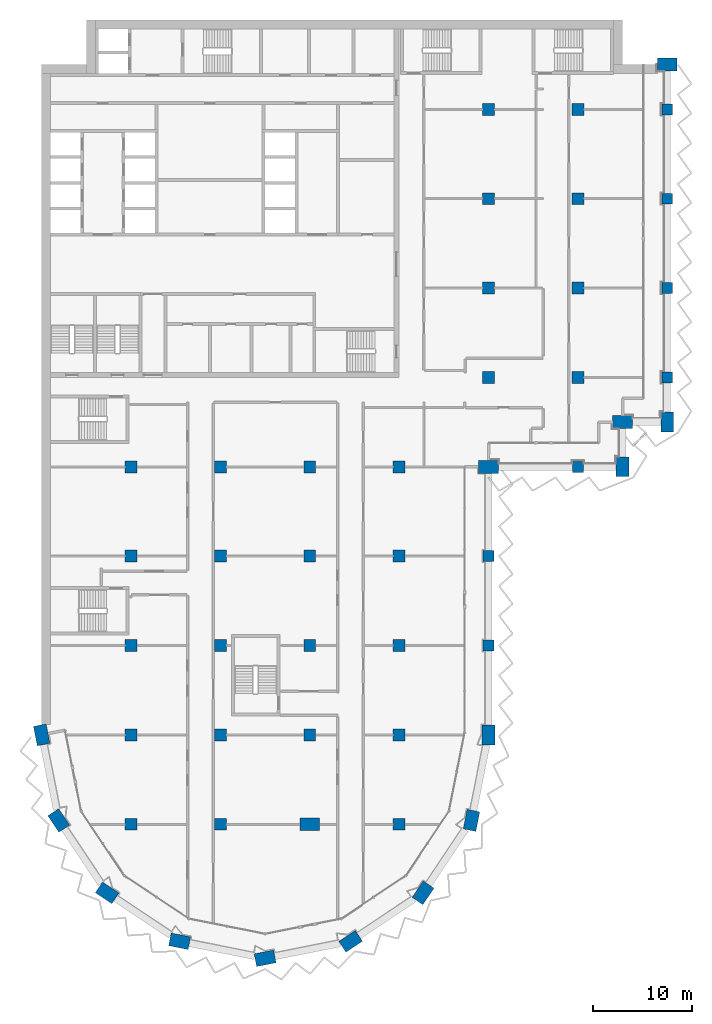
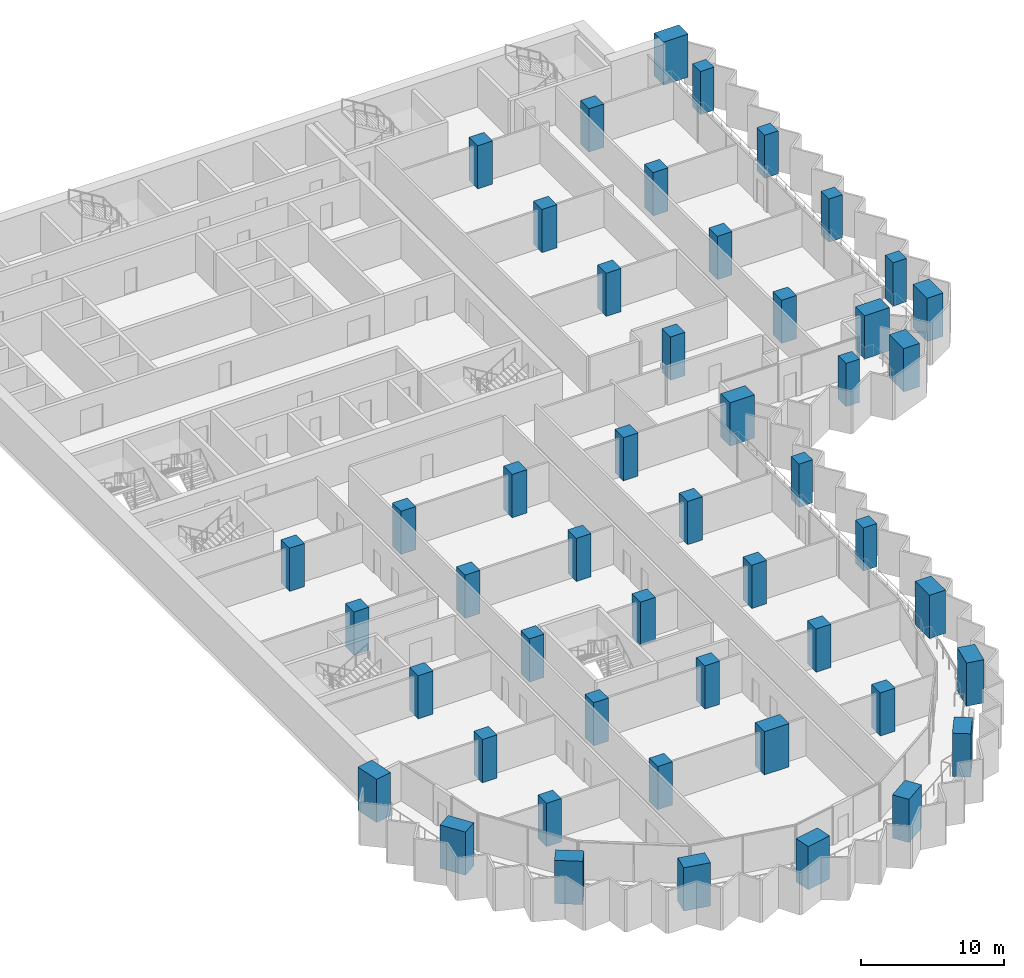
# One storey, part 1 of 22: 49 columns.
"""IFC4 building model written with IfcOpenShell, lengths in metres."""

from ifc_helpers import new_model, si_unit, direction, frame, origin, origin_2d, place, context, subcontext, project, spatial, rectangle, extrude, material, material_profile, profile_set, type_object, element, save


model = new_model("IFC4")

# Units and contexts
model_context = context("Model", 3, precision=1e-05, world=origin(), true_north=direction((0.0, 1.0)))
body_context = subcontext(model_context, "Body", "Model", "MODEL_VIEW")
ifc_project = project(units=[si_unit("LENGTHUNIT", "METRE"), si_unit("AREAUNIT", "SQUARE_METRE"), si_unit("VOLUMEUNIT", "CUBIC_METRE"), si_unit("PLANEANGLEUNIT", "RADIAN"), si_unit("MASSUNIT", "GRAM", prefix="KILO")], contexts=[model_context])

# Site, building, storey
site_placement = place(None, origin())
site = spatial("IfcSite", under=ifc_project, at=site_placement, CompositionType="ELEMENT")
building_placement = place(site_placement, origin())
building = spatial("IfcBuilding", under=site, at=building_placement, Name="Hunhe Ridgeline Campus", CompositionType="ELEMENT")
storey_placement = place(building_placement, frame((0.0, 0.0, 159.699951171875)))
storey = spatial("IfcBuildingStorey", under=building, at=storey_placement, Name="L40", CompositionType="ELEMENT", Elevation=159.699951171875)

# Columns
ifc_material = material(Name="Concrete C70", Category="concrete")
ifc_material_profile_1 = material_profile(ifc_material, rectangle(XDim=2.0, YDim=1.300048828125, at=origin_2d()))
ifc_profile_set_1 = profile_set([ifc_material_profile_1], Name="Concrete C70")
column_type_1 = type_object("IfcColumnType", Name="Megacolumn 2000x1300 Concrete C70", PredefinedType="COLUMN", material=ifc_profile_set_1)
for number, where, z_axis, x_axis, name in (
    (1, (22.5, 4.5, 0.0), (0.0, 0.0, 1.0), (0.980785280403, 0.195090322016, 0.0), "Column C9 R1 L40"),
    (2, (13.8896484375, 6.212646484375, 0.0), (0.0, 0.0, 1.0), (-0.980785280403, 0.195090322016, 0.0), "Column C9 R2 L40"),
    (3, (31.1103515625, 6.212646484375, 0.0), (0.0, 0.0, 1.0), (0.831469612303, 0.55557023302, 0.0), "Column C9 R3 L40"),
    (4, (6.590087890625, 11.090087890625, 0.0), (0.0, 0.0, 1.0), (-0.831469612303, 0.55557023302, 0.0), "Column C9 R4 L40"),
    (5, (38.409912109375, 11.090087890625, 0.0), (0.0, 0.0, 1.0), (0.55557023302, 0.831469612303, 0.0), "Column C9 R5 L40"),
    (6, (1.712646484375, 18.3896484375, 0.0), (0.0, 0.0, 1.0), (-0.55557023302, 0.831469612303, 0.0), "Column C9 R9 L40"),
    (7, (43.287353515625, 18.3896484375, 0.0), (0.0, 0.0, 1.0), (0.195090322016, 0.980785280403, 0.0), "Column C9 R10 L40"),
    (8, (0.0, 27.0, 0.0), (0.0, 0.0, 1.0), (-0.195090322016, 0.980785280403, 0.0), "Column C9 D1 L40"),
    (9, (45.0, 27.0, 0.0), (0.0, 0.0, 1.0), (0.0, 1.0, 0.0), "Column C9 D6 L40"),
    (10, (45.0, 54.0, 0.0), (0.0, 0.0, 1.0), (1.0, 0.0, 0.0), "Column C9 G6 L40"),
    (11, (58.5, 54.0, 0.0), (0.0, 0.0, 1.0), (0.0, 1.0, 0.0), "Column C9 R30 L40"),
    (12, (58.5, 58.5, 0.0), (0.0, 0.0, 1.0), (1.0, 0.0, 0.0), "Column C9 R35 L40"),
    (13, (63.0, 58.5, 0.0), (0.0, 0.0, 1.0), (0.0, 1.0, 0.0), "Column C9 R36 L40"),
    (14, (63.0, 94.5, 0.0), (0.0, 0.0, 1.0), (1.0, 0.0, 0.0), "Column C9 R42 L40"),
    (15, (27.0, 18.0, 0.0), (0.0, 0.0, 1.0), (1.0, 0.0, 0.0), "Column C9 C4 L40"),
):
    element("IfcColumn", number, at=place(storey_placement, frame(where, z_axis=z_axis, x_axis=x_axis)), inside=storey, type_object=column_type_1, Name=name, PredefinedType="COLUMN", context=body_context, shape_type="SweptSolid", body=[
        extrude(rectangle(XDim=2.0, YDim=1.300048828125, at=origin_2d()), origin(), (0.0, 0.0, 1.0), 3.699951171875),
    ])
ifc_material_profile_2 = material_profile(ifc_material, rectangle(XDim=1.10009765625, YDim=1.10009765625, at=origin_2d()))
ifc_profile_set_2 = profile_set([ifc_material_profile_2], Name="Concrete C70")
column_type_2 = type_object("IfcColumnType", Name="RC column 1100x1100 Concrete C70", PredefinedType="COLUMN", material=ifc_profile_set_2)
for number, where, z_axis, x_axis, name in (
    (16, (45.0, 36.0, 0.0), (0.0, 0.0, 1.0), (1.0, 0.0, 0.0), "Column C10 E6 L40"),
    (17, (45.0, 45.0, 0.0), (0.0, 0.0, 1.0), (1.0, 0.0, 0.0), "Column C10 F6 L40"),
    (18, (54.0, 54.0, 0.0), (0.0, 0.0, 1.0), (1.0, 0.0, 0.0), "Column C10 G7 L40"),
    (19, (63.0, 63.0, 0.0), (0.0, 0.0, 1.0), (1.0, 0.0, 0.0), "Column C10 H8 L40"),
    (20, (63.0, 72.0, 0.0), (0.0, 0.0, 1.0), (1.0, 0.0, 0.0), "Column C10 I8 L40"),
    (21, (63.0, 81.0, 0.0), (0.0, 0.0, 1.0), (1.0, 0.0, 0.0), "Column C10 J8 L40"),
    (22, (63.0, 90.0, 0.0), (0.0, 0.0, 1.0), (1.0, 0.0, 0.0), "Column C10 K8 L40"),
):
    element("IfcColumn", number, at=place(storey_placement, frame(where, z_axis=z_axis, x_axis=x_axis)), inside=storey, type_object=column_type_2, Name=name, PredefinedType="COLUMN", context=body_context, shape_type="SweptSolid", body=[
        extrude(rectangle(XDim=1.10009765625, YDim=1.10009765625, at=origin_2d()), origin(), (0.0, 0.0, 1.0), 3.699951171875),
    ])
ifc_material_profile_3 = material_profile(ifc_material, rectangle(XDim=1.199951171875, YDim=1.199951171875, at=origin_2d()))
ifc_profile_set_3 = profile_set([ifc_material_profile_3], Name="Concrete C70")
column_type_3 = type_object("IfcColumnType", Name="RC column 1200x1200 Concrete C70", PredefinedType="COLUMN", material=ifc_profile_set_3)
for number, where, z_axis, x_axis, name in (
    (23, (9.0, 18.0, 0.0), (0.0, 0.0, 1.0), (1.0, 0.0, 0.0), "Column C7 C2 L40"),
    (24, (9.0, 27.0, 0.0), (0.0, 0.0, 1.0), (1.0, 0.0, 0.0), "Column C7 D2 L40"),
    (25, (9.0, 36.0, 0.0), (0.0, 0.0, 1.0), (1.0, 0.0, 0.0), "Column C7 E2 L40"),
    (26, (9.0, 45.0, 0.0), (0.0, 0.0, 1.0), (1.0, 0.0, 0.0), "Column C7 F2 L40"),
    (27, (9.0, 54.0, 0.0), (0.0, 0.0, 1.0), (1.0, 0.0, 0.0), "Column C7 G2 L40"),
    (28, (18.0, 18.0, 0.0), (0.0, 0.0, 1.0), (1.0, 0.0, 0.0), "Column C7 C3 L40"),
    (29, (18.0, 27.0, 0.0), (0.0, 0.0, 1.0), (1.0, 0.0, 0.0), "Column C7 D3 L40"),
    (30, (18.0, 36.0, 0.0), (0.0, 0.0, 1.0), (1.0, 0.0, 0.0), "Column C7 E3 L40"),
    (31, (18.0, 45.0, 0.0), (0.0, 0.0, 1.0), (1.0, 0.0, 0.0), "Column C7 F3 L40"),
    (32, (18.0, 54.0, 0.0), (0.0, 0.0, 1.0), (1.0, 0.0, 0.0), "Column C7 G3 L40"),
    (33, (27.0, 27.0, 0.0), (0.0, 0.0, 1.0), (1.0, 0.0, 0.0), "Column C7 D4 L40"),
    (34, (27.0, 36.0, 0.0), (0.0, 0.0, 1.0), (1.0, 0.0, 0.0), "Column C7 E4 L40"),
    (35, (27.0, 45.0, 0.0), (0.0, 0.0, 1.0), (1.0, 0.0, 0.0), "Column C7 F4 L40"),
    (36, (27.0, 54.0, 0.0), (0.0, 0.0, 1.0), (1.0, 0.0, 0.0), "Column C7 G4 L40"),
    (37, (36.0, 18.0, 0.0), (0.0, 0.0, 1.0), (1.0, 0.0, 0.0), "Column C7 C5 L40"),
    (38, (36.0, 27.0, 0.0), (0.0, 0.0, 1.0), (1.0, 0.0, 0.0), "Column C7 D5 L40"),
    (39, (36.0, 36.0, 0.0), (0.0, 0.0, 1.0), (1.0, 0.0, 0.0), "Column C7 E5 L40"),
    (40, (36.0, 45.0, 0.0), (0.0, 0.0, 1.0), (1.0, 0.0, 0.0), "Column C7 F5 L40"),
    (41, (36.0, 54.0, 0.0), (0.0, 0.0, 1.0), (1.0, 0.0, 0.0), "Column C7 G5 L40"),
    (42, (45.0, 63.0, 0.0), (0.0, 0.0, 1.0), (1.0, 0.0, 0.0), "Column C7 H6 L40"),
    (43, (45.0, 72.0, 0.0), (0.0, 0.0, 1.0), (1.0, 0.0, 0.0), "Column C7 I6 L40"),
    (44, (45.0, 81.0, 0.0), (0.0, 0.0, 1.0), (1.0, 0.0, 0.0), "Column C7 J6 L40"),
    (45, (45.0, 90.0, 0.0), (0.0, 0.0, 1.0), (1.0, 0.0, 0.0), "Column C7 K6 L40"),
    (46, (54.0, 63.0, 0.0), (0.0, 0.0, 1.0), (1.0, 0.0, 0.0), "Column C7 H7 L40"),
    (47, (54.0, 72.0, 0.0), (0.0, 0.0, 1.0), (1.0, 0.0, 0.0), "Column C7 I7 L40"),
    (48, (54.0, 81.0, 0.0), (0.0, 0.0, 1.0), (1.0, 0.0, 0.0), "Column C7 J7 L40"),
    (49, (54.0, 90.0, 0.0), (0.0, 0.0, 1.0), (1.0, 0.0, 0.0), "Column C7 K7 L40"),
):
    element("IfcColumn", number, at=place(storey_placement, frame(where, z_axis=z_axis, x_axis=x_axis)), inside=storey, type_object=column_type_3, Name=name, PredefinedType="COLUMN", context=body_context, shape_type="SweptSolid", body=[
        extrude(rectangle(XDim=1.199951171875, YDim=1.199951171875, at=origin_2d()), origin(), (0.0, 0.0, 1.0), 3.699951171875),
    ])

save(model, "model.ifc")
